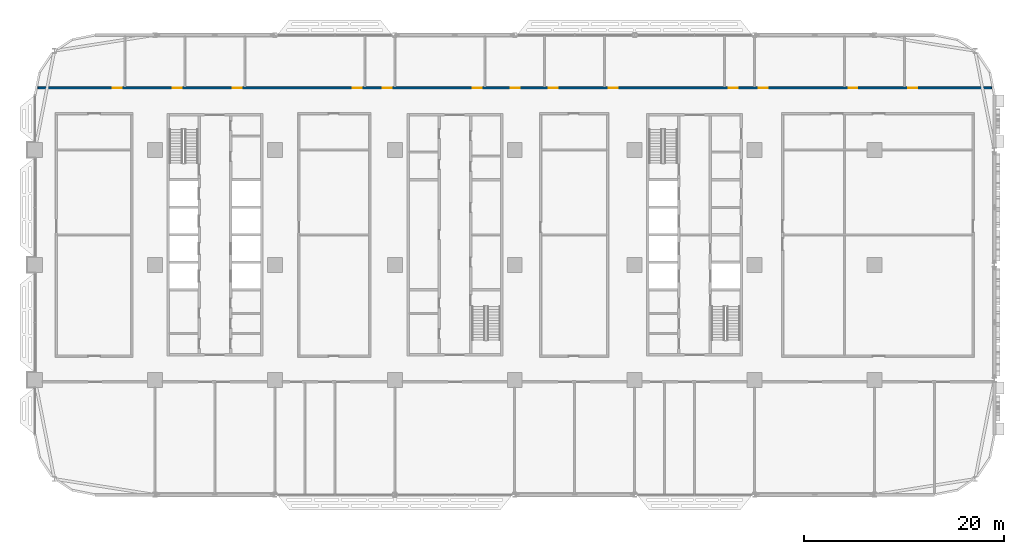
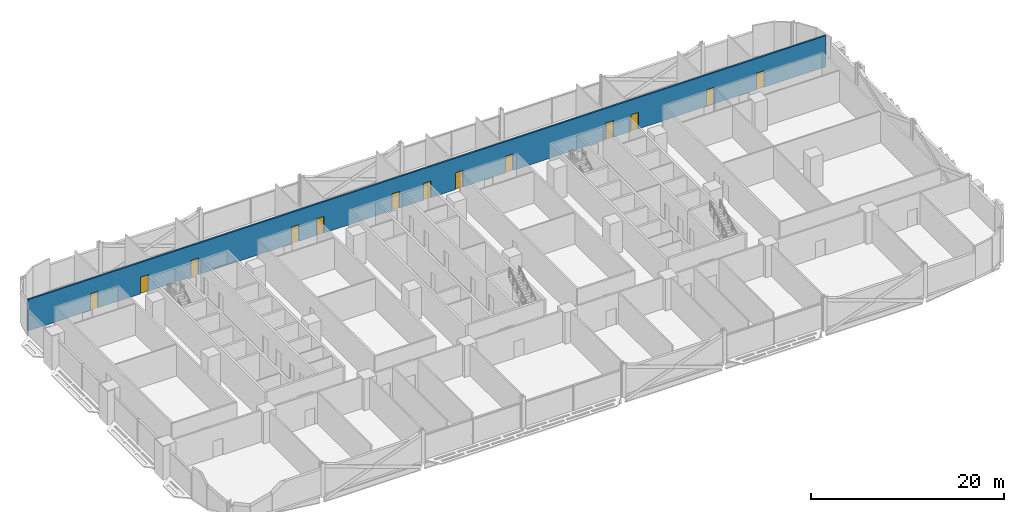
# One storey, part 15 of 29: 13 doors, 1 wall, 13 openings.
"""IFC4 building model written with IfcOpenShell, lengths in metres."""

from ifc_helpers import new_model, si_unit, direction, frame, frame_2d, origin, place, context, subcontext, project, spatial, rectangle, extrude, material, layer, layer_set, type_object, element, fill, save


model = new_model("IFC4")

# Units and contexts
model_context = context("Model", 3, precision=1e-05, world=origin(), true_north=direction((0.0, 1.0)))
body_context = subcontext(model_context, "Body", "Model", "MODEL_VIEW")
ifc_project = project(units=[si_unit("LENGTHUNIT", "METRE"), si_unit("AREAUNIT", "SQUARE_METRE"), si_unit("VOLUMEUNIT", "CUBIC_METRE"), si_unit("PLANEANGLEUNIT", "RADIAN"), si_unit("MASSUNIT", "GRAM", prefix="KILO")], contexts=[model_context])

# Site, building, storey
site_placement = place(None, origin())
site = spatial("IfcSite", under=ifc_project, at=site_placement, CompositionType="ELEMENT")
building_placement = place(site_placement, origin())
building = spatial("IfcBuilding", under=site, at=building_placement, Name="Mahtab Terrace Research Tower", CompositionType="ELEMENT")
storey_placement = place(building_placement, frame((0.0, 0.0, 54.60009765625)))
storey = spatial("IfcBuildingStorey", under=building, at=storey_placement, Name="L12", CompositionType="ELEMENT", Elevation=54.60009765625)

# Wall, openings, doors
ifc_material_1 = material(Name="Gypsum board corridor wall on steel studs", Category="steel")
ifc_layer = layer(ifc_material_1, 0.199951171875)
ifc_layer_set = layer_set([ifc_layer], Name="WALL CORRIDOR 200")
wall_type = type_object("IfcWallType", Name="WALL CORRIDOR 200", PredefinedType="PARTITIONING", material=ifc_layer_set)
wall_placement = place(storey_placement, frame((-41.707763671875, 17.699951171875, 0.0), z_axis=(0.0, 0.0, 1.0), x_axis=(1.0, 0.0, 0.0)))
wall = element("IfcWall", 1, at=wall_placement, inside=storey, type_object=wall_type, Name="L12-W026", PredefinedType="PARTITIONING", context=body_context, shape_type="SweptSolid", body=[
    extrude(rectangle(XDim=95.41552734375, YDim=0.199951171875, at=frame_2d((47.707763671875, 0.0))), origin(), (0.0, 0.0, 1.0), 3.9599609375),
])
opening_1_placement = place(wall_placement, frame((7.5, 0.0, 0.0)))
opening_1 = element("IfcOpeningElement", 2, at=opening_1_placement, cuts=wall, Name="Opening L12-131", PredefinedType="OPENING", context=body_context, shape_type="SweptSolid", body=[
    extrude(rectangle(XDim=0.89990234375, YDim=2.10009765625, at=frame_2d((0.449951171875, 1.050048828125))), frame((0.0, 0.10986328125, 0.0), z_axis=(0.0, -1.0, 0.0), x_axis=(1.0, 0.0, 0.0)), (0.0, 0.0, 1.0), 0.219970703125),
])
opening_2_placement = place(wall_placement, frame((13.5, 0.0, 0.0)))
opening_2 = element("IfcOpeningElement", 3, at=opening_2_placement, cuts=wall, Name="Opening L12-132", PredefinedType="OPENING", context=body_context, shape_type="SweptSolid", body=[
    extrude(rectangle(XDim=0.89990234375, YDim=2.10009765625, at=frame_2d((0.449951171875, 1.050048828125))), frame((0.0, 0.10986328125, 0.0), z_axis=(0.0, -1.0, 0.0), x_axis=(1.0, 0.0, 0.0)), (0.0, 0.0, 1.0), 0.219970703125),
])
opening_3_placement = place(wall_placement, frame((19.5, 0.0, 0.0)))
opening_3 = element("IfcOpeningElement", 4, at=opening_3_placement, cuts=wall, Name="Opening L12-133", PredefinedType="OPENING", context=body_context, shape_type="SweptSolid", body=[
    extrude(rectangle(XDim=0.89990234375, YDim=2.10009765625, at=frame_2d((0.449951171875, 1.050048828125))), frame((0.0, 0.10986328125, 0.0), z_axis=(0.0, -1.0, 0.0), x_axis=(1.0, 0.0, 0.0)), (0.0, 0.0, 1.0), 0.219970703125),
])
opening_4_placement = place(wall_placement, frame((31.5, 0.0, 0.0)))
opening_4 = element("IfcOpeningElement", 5, at=opening_4_placement, cuts=wall, Name="Opening L12-134", PredefinedType="OPENING", context=body_context, shape_type="SweptSolid", body=[
    extrude(rectangle(XDim=0.89990234375, YDim=2.10009765625, at=frame_2d((0.449951171875, 1.050048828125))), frame((0.0, 0.10986328125, 0.0), z_axis=(0.0, -1.0, 0.0), x_axis=(1.0, 0.0, 0.0)), (0.0, 0.0, 1.0), 0.219970703125),
])
opening_5_placement = place(wall_placement, frame((34.5, 0.0, 0.0)))
opening_5 = element("IfcOpeningElement", 6, at=opening_5_placement, cuts=wall, Name="Opening L12-135", PredefinedType="OPENING", context=body_context, shape_type="SweptSolid", body=[
    extrude(rectangle(XDim=0.89990234375, YDim=2.10009765625, at=frame_2d((0.449951171875, 1.050048828125))), frame((0.0, 0.10986328125, 0.0), z_axis=(0.0, -1.0, 0.0), x_axis=(1.0, 0.0, 0.0)), (0.0, 0.0, 1.0), 0.219970703125),
])
opening_6_placement = place(wall_placement, frame((43.5, 0.0, 0.0)))
opening_6 = element("IfcOpeningElement", 7, at=opening_6_placement, cuts=wall, Name="Opening L12-136", PredefinedType="OPENING", context=body_context, shape_type="SweptSolid", body=[
    extrude(rectangle(XDim=0.89990234375, YDim=2.10009765625, at=frame_2d((0.449951171875, 1.050048828125))), frame((0.0, 0.10986328125, 0.0), z_axis=(0.0, -1.0, 0.0), x_axis=(1.0, 0.0, 0.0)), (0.0, 0.0, 1.0), 0.219970703125),
])
opening_7_placement = place(wall_placement, frame((47.300048828125, 0.0, 0.0)))
opening_7 = element("IfcOpeningElement", 8, at=opening_7_placement, cuts=wall, Name="Opening L12-137", PredefinedType="OPENING", context=body_context, shape_type="SweptSolid", body=[
    extrude(rectangle(XDim=0.89990234375, YDim=2.10009765625, at=frame_2d((0.449951171875, 1.050048828125))), frame((0.0, 0.10986328125, 0.0), z_axis=(0.0, -1.0, 0.0), x_axis=(1.0, 0.0, 0.0)), (0.0, 0.0, 1.0), 0.219970703125),
])
opening_8_placement = place(wall_placement, frame((51.10009765625, 0.0, 0.0)))
opening_8 = element("IfcOpeningElement", 9, at=opening_8_placement, cuts=wall, Name="Opening L12-138", PredefinedType="OPENING", context=body_context, shape_type="SweptSolid", body=[
    extrude(rectangle(XDim=0.89990234375, YDim=2.10009765625, at=frame_2d((0.449951171875, 1.050048828125))), frame((0.0, 0.10986328125, 0.0), z_axis=(0.0, -1.0, 0.0), x_axis=(1.0, 0.0, 0.0)), (0.0, 0.0, 1.0), 0.219970703125),
])
opening_9_placement = place(wall_placement, frame((57.10009765625, 0.0, 0.0)))
opening_9 = element("IfcOpeningElement", 10, at=opening_9_placement, cuts=wall, Name="Opening L12-139", PredefinedType="OPENING", context=body_context, shape_type="SweptSolid", body=[
    extrude(rectangle(XDim=0.89990234375, YDim=2.10009765625, at=frame_2d((0.449951171875, 1.050048828125))), frame((0.0, 0.10986328125, 0.0), z_axis=(0.0, -1.0, 0.0), x_axis=(1.0, 0.0, 0.0)), (0.0, 0.0, 1.0), 0.219970703125),
])
opening_10_placement = place(wall_placement, frame((69.10009765625, 0.0, 0.0)))
opening_10 = element("IfcOpeningElement", 11, at=opening_10_placement, cuts=wall, Name="Opening L12-140", PredefinedType="OPENING", context=body_context, shape_type="SweptSolid", body=[
    extrude(rectangle(XDim=0.89990234375, YDim=2.10009765625, at=frame_2d((0.449951171875, 1.050048828125))), frame((0.0, 0.10986328125, 0.0), z_axis=(0.0, -1.0, 0.0), x_axis=(1.0, 0.0, 0.0)), (0.0, 0.0, 1.0), 0.219970703125),
])
opening_11_placement = place(wall_placement, frame((72.10009765625, 0.0, 0.0)))
opening_11 = element("IfcOpeningElement", 12, at=opening_11_placement, cuts=wall, Name="Opening L12-141", PredefinedType="OPENING", context=body_context, shape_type="SweptSolid", body=[
    extrude(rectangle(XDim=0.89990234375, YDim=2.10009765625, at=frame_2d((0.449951171875, 1.050048828125))), frame((0.0, 0.10986328125, 0.0), z_axis=(0.0, -1.0, 0.0), x_axis=(1.0, 0.0, 0.0)), (0.0, 0.0, 1.0), 0.219970703125),
])
opening_12_placement = place(wall_placement, frame((81.10009765625, 0.0, 0.0)))
opening_12 = element("IfcOpeningElement", 13, at=opening_12_placement, cuts=wall, Name="Opening L12-142", PredefinedType="OPENING", context=body_context, shape_type="SweptSolid", body=[
    extrude(rectangle(XDim=0.89990234375, YDim=2.10009765625, at=frame_2d((0.449951171875, 1.050048828125))), frame((0.0, 0.10986328125, 0.0), z_axis=(0.0, -1.0, 0.0), x_axis=(1.0, 0.0, 0.0)), (0.0, 0.0, 1.0), 0.219970703125),
])
opening_13_placement = place(wall_placement, frame((87.10009765625, 0.0, 0.0)))
opening_13 = element("IfcOpeningElement", 14, at=opening_13_placement, cuts=wall, Name="Opening L12-143", PredefinedType="OPENING", context=body_context, shape_type="SweptSolid", body=[
    extrude(rectangle(XDim=0.89990234375, YDim=2.10009765625, at=frame_2d((0.449951171875, 1.050048828125))), frame((0.0, 0.10986328125, 0.0), z_axis=(0.0, -1.0, 0.0), x_axis=(1.0, 0.0, 0.0)), (0.0, 0.0, 1.0), 0.219970703125),
])
ifc_material_2 = material(Name="Timber door leaf in steel frame", Category="steel")
door_type = type_object("IfcDoorType", Name="DOOR 0900X2100 FD30S", OperationType="SINGLE_SWING_LEFT", PredefinedType="DOOR", material=ifc_material_2)
door_1_placement = place(opening_1_placement, origin())
door_1 = element("IfcDoor", 15, at=door_1_placement, inside=storey, type_object=door_type, Name="Door L12-131", OperationType="SINGLE_SWING_LEFT", OverallHeight=2.10009765625, OverallWidth=0.89990234375, PredefinedType="DOOR", context=body_context, shape_type="SweptSolid", body=[
    extrude(rectangle(XDim=0.89990234375, YDim=2.10009765625, at=frame_2d((0.449951171875, 1.050048828125))), frame((0.0, 0.02490234375, 0.0), z_axis=(0.0, -1.0, 0.0), x_axis=(1.0, 0.0, 0.0)), (0.0, 0.0, 1.0), 0.050048828125),
])
fill(opening_1, door_1)
door_2_placement = place(opening_2_placement, origin())
door_2 = element("IfcDoor", 16, at=door_2_placement, inside=storey, type_object=door_type, Name="Door L12-132", OperationType="SINGLE_SWING_LEFT", OverallHeight=2.10009765625, OverallWidth=0.89990234375, PredefinedType="DOOR", context=body_context, shape_type="SweptSolid", body=[
    extrude(rectangle(XDim=0.89990234375, YDim=2.10009765625, at=frame_2d((0.449951171875, 1.050048828125))), frame((0.0, 0.02490234375, 0.0), z_axis=(0.0, -1.0, 0.0), x_axis=(1.0, 0.0, 0.0)), (0.0, 0.0, 1.0), 0.050048828125),
])
fill(opening_2, door_2)
door_3_placement = place(opening_3_placement, origin())
door_3 = element("IfcDoor", 17, at=door_3_placement, inside=storey, type_object=door_type, Name="Door L12-133", OperationType="SINGLE_SWING_LEFT", OverallHeight=2.10009765625, OverallWidth=0.89990234375, PredefinedType="DOOR", context=body_context, shape_type="SweptSolid", body=[
    extrude(rectangle(XDim=0.89990234375, YDim=2.10009765625, at=frame_2d((0.449951171875, 1.050048828125))), frame((0.0, 0.02490234375, 0.0), z_axis=(0.0, -1.0, 0.0), x_axis=(1.0, 0.0, 0.0)), (0.0, 0.0, 1.0), 0.050048828125),
])
fill(opening_3, door_3)
door_4_placement = place(opening_4_placement, origin())
door_4 = element("IfcDoor", 18, at=door_4_placement, inside=storey, type_object=door_type, Name="Door L12-134", OperationType="SINGLE_SWING_LEFT", OverallHeight=2.10009765625, OverallWidth=0.89990234375, PredefinedType="DOOR", context=body_context, shape_type="SweptSolid", body=[
    extrude(rectangle(XDim=0.89990234375, YDim=2.10009765625, at=frame_2d((0.449951171875, 1.050048828125))), frame((0.0, 0.02490234375, 0.0), z_axis=(0.0, -1.0, 0.0), x_axis=(1.0, 0.0, 0.0)), (0.0, 0.0, 1.0), 0.050048828125),
])
fill(opening_4, door_4)
door_5_placement = place(opening_5_placement, origin())
door_5 = element("IfcDoor", 19, at=door_5_placement, inside=storey, type_object=door_type, Name="Door L12-135", OperationType="SINGLE_SWING_LEFT", OverallHeight=2.10009765625, OverallWidth=0.89990234375, PredefinedType="DOOR", context=body_context, shape_type="SweptSolid", body=[
    extrude(rectangle(XDim=0.89990234375, YDim=2.10009765625, at=frame_2d((0.449951171875, 1.050048828125))), frame((0.0, 0.02490234375, 0.0), z_axis=(0.0, -1.0, 0.0), x_axis=(1.0, 0.0, 0.0)), (0.0, 0.0, 1.0), 0.050048828125),
])
fill(opening_5, door_5)
door_6_placement = place(opening_6_placement, origin())
door_6 = element("IfcDoor", 20, at=door_6_placement, inside=storey, type_object=door_type, Name="Door L12-136", OperationType="SINGLE_SWING_LEFT", OverallHeight=2.10009765625, OverallWidth=0.89990234375, PredefinedType="DOOR", context=body_context, shape_type="SweptSolid", body=[
    extrude(rectangle(XDim=0.89990234375, YDim=2.10009765625, at=frame_2d((0.449951171875, 1.050048828125))), frame((0.0, 0.02490234375, 0.0), z_axis=(0.0, -1.0, 0.0), x_axis=(1.0, 0.0, 0.0)), (0.0, 0.0, 1.0), 0.050048828125),
])
fill(opening_6, door_6)
door_7_placement = place(opening_7_placement, origin())
door_7 = element("IfcDoor", 21, at=door_7_placement, inside=storey, type_object=door_type, Name="Door L12-137", OperationType="SINGLE_SWING_RIGHT", OverallHeight=2.10009765625, OverallWidth=0.89990234375, PredefinedType="DOOR", context=body_context, shape_type="SweptSolid", body=[
    extrude(rectangle(XDim=0.89990234375, YDim=2.10009765625, at=frame_2d((0.449951171875, 1.050048828125))), frame((0.0, 0.02490234375, 0.0), z_axis=(0.0, -1.0, 0.0), x_axis=(1.0, 0.0, 0.0)), (0.0, 0.0, 1.0), 0.050048828125),
])
fill(opening_7, door_7)
door_8_placement = place(opening_8_placement, origin())
door_8 = element("IfcDoor", 22, at=door_8_placement, inside=storey, type_object=door_type, Name="Door L12-138", OperationType="SINGLE_SWING_RIGHT", OverallHeight=2.10009765625, OverallWidth=0.89990234375, PredefinedType="DOOR", context=body_context, shape_type="SweptSolid", body=[
    extrude(rectangle(XDim=0.89990234375, YDim=2.10009765625, at=frame_2d((0.449951171875, 1.050048828125))), frame((0.0, 0.02490234375, 0.0), z_axis=(0.0, -1.0, 0.0), x_axis=(1.0, 0.0, 0.0)), (0.0, 0.0, 1.0), 0.050048828125),
])
fill(opening_8, door_8)
door_9_placement = place(opening_9_placement, origin())
door_9 = element("IfcDoor", 23, at=door_9_placement, inside=storey, type_object=door_type, Name="Door L12-139", OperationType="SINGLE_SWING_RIGHT", OverallHeight=2.10009765625, OverallWidth=0.89990234375, PredefinedType="DOOR", context=body_context, shape_type="SweptSolid", body=[
    extrude(rectangle(XDim=0.89990234375, YDim=2.10009765625, at=frame_2d((0.449951171875, 1.050048828125))), frame((0.0, 0.02490234375, 0.0), z_axis=(0.0, -1.0, 0.0), x_axis=(1.0, 0.0, 0.0)), (0.0, 0.0, 1.0), 0.050048828125),
])
fill(opening_9, door_9)
door_10_placement = place(opening_10_placement, origin())
door_10 = element("IfcDoor", 24, at=door_10_placement, inside=storey, type_object=door_type, Name="Door L12-140", OperationType="SINGLE_SWING_RIGHT", OverallHeight=2.10009765625, OverallWidth=0.89990234375, PredefinedType="DOOR", context=body_context, shape_type="SweptSolid", body=[
    extrude(rectangle(XDim=0.89990234375, YDim=2.10009765625, at=frame_2d((0.449951171875, 1.050048828125))), frame((0.0, 0.02490234375, 0.0), z_axis=(0.0, -1.0, 0.0), x_axis=(1.0, 0.0, 0.0)), (0.0, 0.0, 1.0), 0.050048828125),
])
fill(opening_10, door_10)
door_11_placement = place(opening_11_placement, origin())
door_11 = element("IfcDoor", 25, at=door_11_placement, inside=storey, type_object=door_type, Name="Door L12-141", OperationType="SINGLE_SWING_RIGHT", OverallHeight=2.10009765625, OverallWidth=0.89990234375, PredefinedType="DOOR", context=body_context, shape_type="SweptSolid", body=[
    extrude(rectangle(XDim=0.89990234375, YDim=2.10009765625, at=frame_2d((0.449951171875, 1.050048828125))), frame((0.0, 0.02490234375, 0.0), z_axis=(0.0, -1.0, 0.0), x_axis=(1.0, 0.0, 0.0)), (0.0, 0.0, 1.0), 0.050048828125),
])
fill(opening_11, door_11)
door_12_placement = place(opening_12_placement, origin())
door_12 = element("IfcDoor", 26, at=door_12_placement, inside=storey, type_object=door_type, Name="Door L12-142", OperationType="SINGLE_SWING_RIGHT", OverallHeight=2.10009765625, OverallWidth=0.89990234375, PredefinedType="DOOR", context=body_context, shape_type="SweptSolid", body=[
    extrude(rectangle(XDim=0.89990234375, YDim=2.10009765625, at=frame_2d((0.449951171875, 1.050048828125))), frame((0.0, 0.02490234375, 0.0), z_axis=(0.0, -1.0, 0.0), x_axis=(1.0, 0.0, 0.0)), (0.0, 0.0, 1.0), 0.050048828125),
])
fill(opening_12, door_12)
door_13_placement = place(opening_13_placement, origin())
door_13 = element("IfcDoor", 27, at=door_13_placement, inside=storey, type_object=door_type, Name="Door L12-143", OperationType="SINGLE_SWING_RIGHT", OverallHeight=2.10009765625, OverallWidth=0.89990234375, PredefinedType="DOOR", context=body_context, shape_type="SweptSolid", body=[
    extrude(rectangle(XDim=0.89990234375, YDim=2.10009765625, at=frame_2d((0.449951171875, 1.050048828125))), frame((0.0, 0.02490234375, 0.0), z_axis=(0.0, -1.0, 0.0), x_axis=(1.0, 0.0, 0.0)), (0.0, 0.0, 1.0), 0.050048828125),
])
fill(opening_13, door_13)

save(model, "model.ifc")
